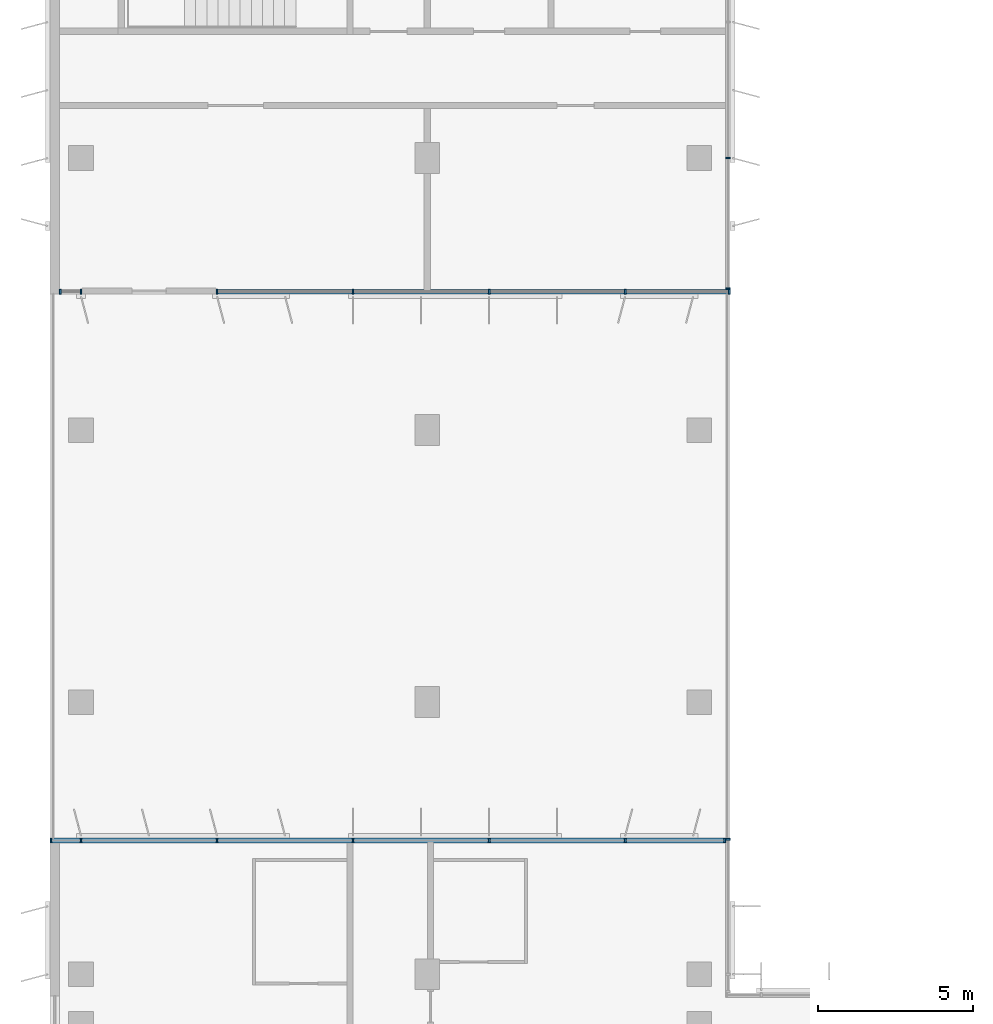
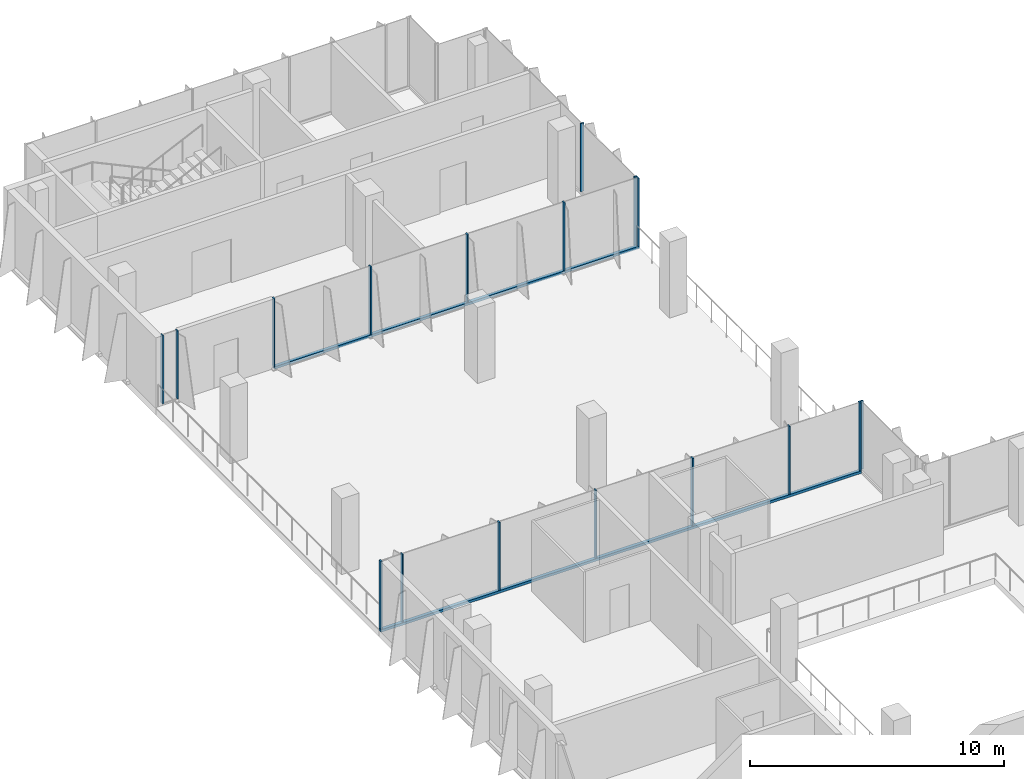
# One storey, part 4 of 15: 19 members, 5 elements without a shape of their own.
"""IFC4 building model written with IfcOpenShell, lengths in metres."""

from ifc_helpers import new_model, si_unit, direction, frame, origin, origin_2d, place, context, subcontext, project, spatial, rectangle, extrude, source, transform, mapped, material, material_profile, profile_set, type_object, element, aggregate, save


model = new_model("IFC4")

# Units and contexts
model_context = context("Model", 3, precision=1e-05, world=origin(), true_north=direction((0.0, 1.0)))
body_context = subcontext(model_context, "Body", "Model", "MODEL_VIEW")
ifc_project = project(units=[si_unit("LENGTHUNIT", "METRE"), si_unit("AREAUNIT", "SQUARE_METRE"), si_unit("VOLUMEUNIT", "CUBIC_METRE"), si_unit("PLANEANGLEUNIT", "RADIAN"), si_unit("MASSUNIT", "GRAM", prefix="KILO")], contexts=[model_context])

# Site, building, storey
site_placement = place(None, origin())
site = spatial("IfcSite", under=ifc_project, at=site_placement, CompositionType="ELEMENT")
building_placement = place(site_placement, origin())
building = spatial("IfcBuilding", under=site, at=building_placement, Name="Kemantara Hotel Tower", CompositionType="ELEMENT")
storey_placement = place(building_placement, frame((0.0, 0.0, 241.300048828125)))
storey = spatial("IfcBuildingStorey", under=building, at=storey_placement, Name="L60", CompositionType="ELEMENT", Elevation=241.300048828125)

# Curtain wall, member
ifc_material_1 = material(Name="Toughened tinted glass 32 mm", Category="glass")
curtain_wall_type_1 = type_object("IfcCurtainWallType", Name="TERRACE GLAZING WALL", PredefinedType="USERDEFINED", material=ifc_material_1)
curtain_wall_1_placement = place(storey_placement, origin())
curtain_wall_1 = element("IfcCurtainWall", 1, at=curtain_wall_1_placement, inside=storey, type_object=curtain_wall_type_1, Name="CW6 L60 T4P-R12-2", ObjectType="TERRACE GLAZING WALL", PredefinedType="USERDEFINED")
ifc_material_2 = material(Name="Aluminium 6063-T6 bronze anodised", Category="aluminium")
ifc_material_profile_1 = material_profile(ifc_material_2, rectangle(XDim=0.14990234375, YDim=0.1201171875, at=origin_2d()), Name="TERRACE GLAZING WALL TRANSOM")
ifc_profile_set_1 = profile_set([ifc_material_profile_1], Name="Aluminium 6063-T6 bronze anodised")
member_type_1 = type_object("IfcMemberType", Name="TERRACE GLAZING WALL TRANSOM", PredefinedType="USERDEFINED", material=ifc_profile_set_1)
member_1_placement = place(storey_placement, frame((5.39990234375, 49.47509765625, 0.06005859375), z_axis=(1.0, 0.0, 0.0), x_axis=(0.0, 1.0, 0.0)))
member_1 = element("IfcMember", 2, at=member_1_placement, type_object=member_type_1, Name="CW6 sill transom T4P-R12-2", ObjectType="TRANSOM", PredefinedType="USERDEFINED", context=body_context, shape_type="SweptSolid", body=[
    extrude(rectangle(XDim=0.14990234375, YDim=0.1201171875, at=origin_2d()), origin(), (0.0, 0.0, 1.0), 16.60009765625),
])

ifc_material_3 = material(Name="Low-E tinted double insulated glass 36 mm", Category="glass")
curtain_wall_type_2 = type_object("IfcCurtainWallType", Name="TOWER CURTAIN WALL, FRONT FACES", PredefinedType="USERDEFINED", material=ifc_material_3)
curtain_wall_2_placement = place(storey_placement, origin())
curtain_wall_2 = element("IfcCurtainWall", 3, at=curtain_wall_2_placement, inside=storey, type_object=curtain_wall_type_2, Name="CW4 L60 T4P-R01-1", ObjectType="TOWER CURTAIN WALL, FRONT FACES", PredefinedType="USERDEFINED")
ifc_material_profile_2 = material_profile(ifc_material_2, rectangle(XDim=0.14990234375, YDim=0.1201171875, at=origin_2d()), Name="TOWER CURTAIN WALL, FRONT FACES TRANSOM")
ifc_profile_set_2 = profile_set([ifc_material_profile_2], Name="Aluminium 6063-T6 bronze anodised")
member_type_2 = type_object("IfcMemberType", Name="TOWER CURTAIN WALL, FRONT FACES TRANSOM", PredefinedType="USERDEFINED", material=ifc_profile_set_2)
member_2_placement = place(storey_placement, frame((21.85009765625, 31.72509765625, 0.06005859375), z_axis=(-1.0, 0.0, 0.0), x_axis=(0.0, -1.0, 0.0)))
member_2 = element("IfcMember", 4, at=member_2_placement, type_object=member_type_2, Name="CW4 sill transom T4P-R01-1", ObjectType="TRANSOM", PredefinedType="USERDEFINED", context=body_context, shape_type="SweptSolid", body=[
    extrude(rectangle(XDim=0.14990234375, YDim=0.1201171875, at=origin_2d()), origin(), (0.0, 0.0, 1.0), 21.85009765625),
])

curtain_wall_3_placement = place(storey_placement, origin())
curtain_wall_3 = element("IfcCurtainWall", 5, at=curtain_wall_3_placement, inside=storey, type_object=curtain_wall_type_2, Name="CW4 L60 T4P-R00-1", ObjectType="TOWER CURTAIN WALL, FRONT FACES", PredefinedType="USERDEFINED")
ifc_material_profile_3 = material_profile(ifc_material_2, rectangle(XDim=0.14990234375, YDim=0.06005859375, at=origin_2d()), Name="TOWER CURTAIN WALL, FRONT FACES MULLION")
ifc_profile_set_3 = profile_set([ifc_material_profile_3], Name="Aluminium 6063-T6 bronze anodised")
member_type_3 = type_object("IfcMemberType", Name="TOWER CURTAIN WALL, FRONT FACES MULLION", PredefinedType="MULLION", material=ifc_profile_set_3)
shared_shape_1 = source(origin(), body_context, "Body", "SweptSolid", [
    extrude(rectangle(XDim=0.14990234375, YDim=0.06005859375, at=origin_2d()), origin(), (0.0, 0.0, 1.0), 3.280029296875),
])
member_3_placement = place(storey_placement, frame((21.925048828125, 31.77001953125, 0.119873046875), z_axis=(0.0, 0.0, 1.0), x_axis=(-1.0, 0.0, 0.0)))
member_3 = element("IfcMember", 6, at=member_3_placement, type_object=member_type_3, Name="CW4 mullion T4P-R00-1.3", PredefinedType="MULLION", context=body_context, shape_type="MappedRepresentation", body=[
    mapped(shared_shape_1, transform((0.0, 0.0, 0.0))),
])
aggregate(curtain_wall_3, [member_3])

# Member
member_4_placement = place(storey_placement, frame((21.820068359375, 31.72509765625, 0.119873046875), z_axis=(0.0, 0.0, 1.0), x_axis=(0.0, -1.0, 0.0)))
member_4 = element("IfcMember", 7, at=member_4_placement, type_object=member_type_3, Name="CW4 mullion T4P-R01-1.1", PredefinedType="MULLION", context=body_context, shape_type="MappedRepresentation", body=[
    mapped(shared_shape_1, transform((0.0, 0.0, 0.0))),
])

member_5_placement = place(storey_placement, frame((18.60009765625, 31.72509765625, 0.119873046875), z_axis=(0.0, 0.0, 1.0), x_axis=(0.0, -1.0, 0.0)))
member_5 = element("IfcMember", 8, at=member_5_placement, type_object=member_type_3, Name="CW4 mullion T4P-R01-1.2", PredefinedType="MULLION", context=body_context, shape_type="MappedRepresentation", body=[
    mapped(shared_shape_1, transform((0.0, 0.0, 0.0))),
])

member_6_placement = place(storey_placement, frame((14.199951171875, 31.72509765625, 0.119873046875), z_axis=(0.0, 0.0, 1.0), x_axis=(0.0, -1.0, 0.0)))
member_6 = element("IfcMember", 9, at=member_6_placement, type_object=member_type_3, Name="CW4 mullion T4P-R01-1.3", PredefinedType="MULLION", context=body_context, shape_type="MappedRepresentation", body=[
    mapped(shared_shape_1, transform((0.0, 0.0, 0.0))),
])

member_7_placement = place(storey_placement, frame((9.800048828125, 31.72509765625, 0.119873046875), z_axis=(0.0, 0.0, 1.0), x_axis=(0.0, -1.0, 0.0)))
member_7 = element("IfcMember", 10, at=member_7_placement, type_object=member_type_3, Name="CW4 mullion T4P-R01-1.4", PredefinedType="MULLION", context=body_context, shape_type="MappedRepresentation", body=[
    mapped(shared_shape_1, transform((0.0, 0.0, 0.0))),
])

member_8_placement = place(storey_placement, frame((5.39990234375, 31.72509765625, 0.119873046875), z_axis=(0.0, 0.0, 1.0), x_axis=(0.0, -1.0, 0.0)))
member_8 = element("IfcMember", 11, at=member_8_placement, type_object=member_type_3, Name="CW4 mullion T4P-R01-1.5", PredefinedType="MULLION", context=body_context, shape_type="MappedRepresentation", body=[
    mapped(shared_shape_1, transform((0.0, 0.0, 0.0))),
])

member_9_placement = place(storey_placement, frame((1.0, 31.72509765625, 0.119873046875), z_axis=(0.0, 0.0, 1.0), x_axis=(0.0, -1.0, 0.0)))
member_9 = element("IfcMember", 12, at=member_9_placement, type_object=member_type_3, Name="CW4 mullion T4P-R01-1.6", PredefinedType="MULLION", context=body_context, shape_type="MappedRepresentation", body=[
    mapped(shared_shape_1, transform((0.0, 0.0, 0.0))),
])

member_10_placement = place(storey_placement, frame((0.030029296875, 31.72509765625, 0.119873046875), z_axis=(0.0, 0.0, 1.0), x_axis=(0.0, -1.0, 0.0)))
member_10 = element("IfcMember", 13, at=member_10_placement, type_object=member_type_3, Name="CW4 mullion T4P-R01-1.7", PredefinedType="MULLION", context=body_context, shape_type="MappedRepresentation", body=[
    mapped(shared_shape_1, transform((0.0, 0.0, 0.0))),
])

aggregate(curtain_wall_2, [member_2, member_4, member_5, member_6, member_7, member_8, member_9, member_10])

# Curtain wall, members
curtain_wall_4_placement = place(storey_placement, origin())
curtain_wall_4 = element("IfcCurtainWall", 14, at=curtain_wall_4_placement, inside=storey, type_object=curtain_wall_type_2, Name="CW4 L60 T4P-R13-1", ObjectType="TOWER CURTAIN WALL, FRONT FACES", PredefinedType="USERDEFINED")
member_11_placement = place(storey_placement, frame((21.925048828125, 49.580078125, 0.119873046875), z_axis=(0.0, 0.0, 1.0), x_axis=(-1.0, 0.0, 0.0)))
member_11 = element("IfcMember", 15, at=member_11_placement, type_object=member_type_3, Name="CW4 mullion T4P-R13-1.1", PredefinedType="MULLION", context=body_context, shape_type="MappedRepresentation", body=[
    mapped(shared_shape_1, transform((0.0, 0.0, 0.0))),
])
member_12_placement = place(storey_placement, frame((21.925048828125, 53.800048828125, 0.119873046875), z_axis=(0.0, 0.0, 1.0), x_axis=(-1.0, 0.0, 0.0)))
member_12 = element("IfcMember", 16, at=member_12_placement, type_object=member_type_3, Name="CW4 mullion T4P-R13-1.2", PredefinedType="MULLION", context=body_context, shape_type="MappedRepresentation", body=[
    mapped(shared_shape_1, transform((0.0, 0.0, 0.0))),
])
aggregate(curtain_wall_4, [member_11, member_12])

curtain_wall_5_placement = place(storey_placement, origin())
curtain_wall_5 = element("IfcCurtainWall", 17, at=curtain_wall_5_placement, inside=storey, type_object=curtain_wall_type_1, Name="CW6 L60 T4P-R12-1", ObjectType="TERRACE GLAZING WALL", PredefinedType="USERDEFINED")
ifc_material_profile_4 = material_profile(ifc_material_2, rectangle(XDim=0.14990234375, YDim=0.06005859375, at=origin_2d()), Name="TERRACE GLAZING WALL MULLION")
ifc_profile_set_4 = profile_set([ifc_material_profile_4], Name="Aluminium 6063-T6 bronze anodised")
member_type_4 = type_object("IfcMemberType", Name="TERRACE GLAZING WALL MULLION", PredefinedType="MULLION", material=ifc_profile_set_4)
shared_shape_2 = source(origin(), body_context, "Body", "SweptSolid", [
    extrude(rectangle(XDim=0.14990234375, YDim=0.06005859375, at=origin_2d()), origin(), (0.0, 0.0, 1.0), 3.280029296875),
])
member_13_placement = place(storey_placement, frame((0.330078125, 49.47509765625, 0.119873046875), z_axis=(0.0, 0.0, 1.0), x_axis=(0.0, 1.0, 0.0)))
member_13 = element("IfcMember", 18, at=member_13_placement, type_object=member_type_4, Name="CW6 mullion T4P-R12-1.1", PredefinedType="MULLION", context=body_context, shape_type="MappedRepresentation", body=[
    mapped(shared_shape_2, transform((0.0, 0.0, 0.0))),
])
member_14_placement = place(storey_placement, frame((1.0, 49.47509765625, 0.119873046875), z_axis=(0.0, 0.0, 1.0), x_axis=(0.0, 1.0, 0.0)))
member_14 = element("IfcMember", 19, at=member_14_placement, type_object=member_type_4, Name="CW6 mullion T4P-R12-1.2", PredefinedType="MULLION", context=body_context, shape_type="MappedRepresentation", body=[
    mapped(shared_shape_2, transform((0.0, 0.0, 0.0))),
])
aggregate(curtain_wall_5, [member_13, member_14])

# Member
member_15_placement = place(storey_placement, frame((5.39990234375, 49.47509765625, 0.119873046875), z_axis=(0.0, 0.0, 1.0), x_axis=(0.0, 1.0, 0.0)))
member_15 = element("IfcMember", 20, at=member_15_placement, type_object=member_type_4, Name="CW6 mullion T4P-R12-2.1", PredefinedType="MULLION", context=body_context, shape_type="MappedRepresentation", body=[
    mapped(shared_shape_2, transform((0.0, 0.0, 0.0))),
])

member_16_placement = place(storey_placement, frame((9.800048828125, 49.47509765625, 0.119873046875), z_axis=(0.0, 0.0, 1.0), x_axis=(0.0, 1.0, 0.0)))
member_16 = element("IfcMember", 21, at=member_16_placement, type_object=member_type_4, Name="CW6 mullion T4P-R12-2.2", PredefinedType="MULLION", context=body_context, shape_type="MappedRepresentation", body=[
    mapped(shared_shape_2, transform((0.0, 0.0, 0.0))),
])

member_17_placement = place(storey_placement, frame((14.199951171875, 49.47509765625, 0.119873046875), z_axis=(0.0, 0.0, 1.0), x_axis=(0.0, 1.0, 0.0)))
member_17 = element("IfcMember", 22, at=member_17_placement, type_object=member_type_4, Name="CW6 mullion T4P-R12-2.3", PredefinedType="MULLION", context=body_context, shape_type="MappedRepresentation", body=[
    mapped(shared_shape_2, transform((0.0, 0.0, 0.0))),
])

member_18_placement = place(storey_placement, frame((18.60009765625, 49.47509765625, 0.119873046875), z_axis=(0.0, 0.0, 1.0), x_axis=(0.0, 1.0, 0.0)))
member_18 = element("IfcMember", 23, at=member_18_placement, type_object=member_type_4, Name="CW6 mullion T4P-R12-2.4", PredefinedType="MULLION", context=body_context, shape_type="MappedRepresentation", body=[
    mapped(shared_shape_2, transform((0.0, 0.0, 0.0))),
])

member_19_placement = place(storey_placement, frame((21.969970703125, 49.47509765625, 0.119873046875), z_axis=(0.0, 0.0, 1.0), x_axis=(0.0, 1.0, 0.0)))
member_19 = element("IfcMember", 24, at=member_19_placement, type_object=member_type_4, Name="CW6 mullion T4P-R12-2.5", PredefinedType="MULLION", context=body_context, shape_type="MappedRepresentation", body=[
    mapped(shared_shape_2, transform((0.0, 0.0, 0.0))),
])

aggregate(curtain_wall_1, [member_1, member_15, member_16, member_17, member_18, member_19])

save(model, "model.ifc")
